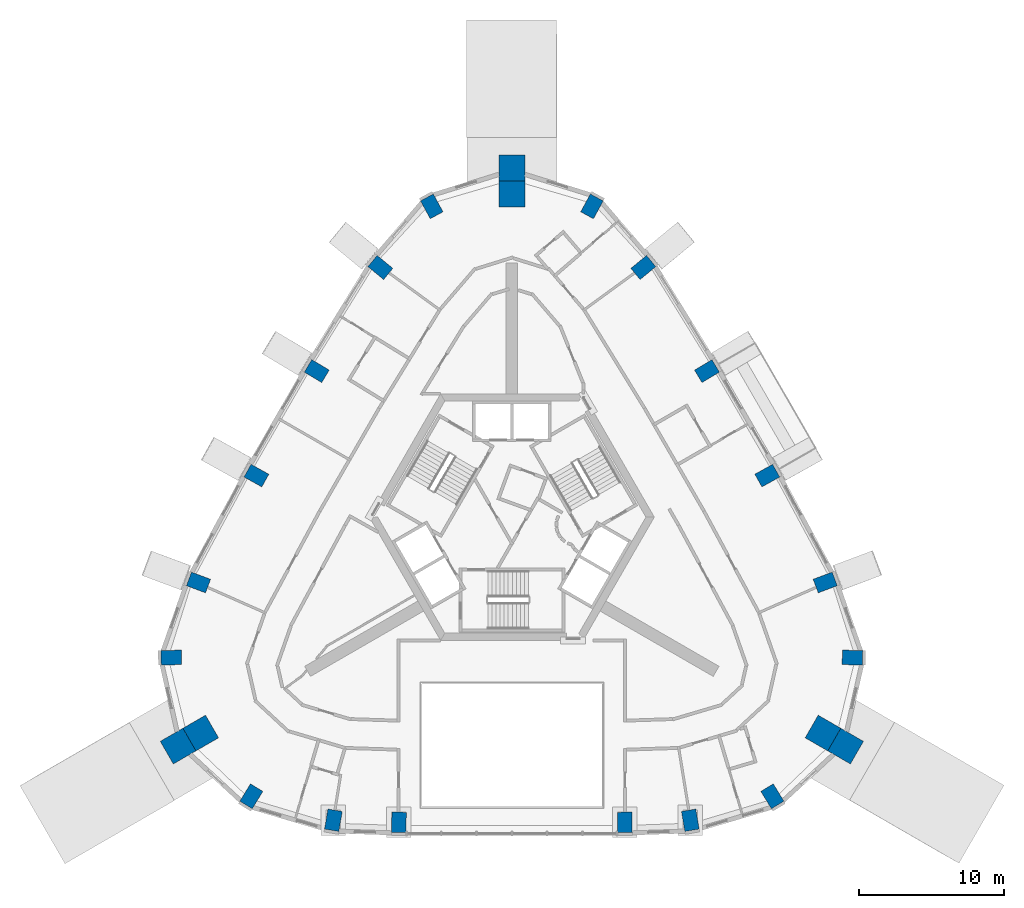
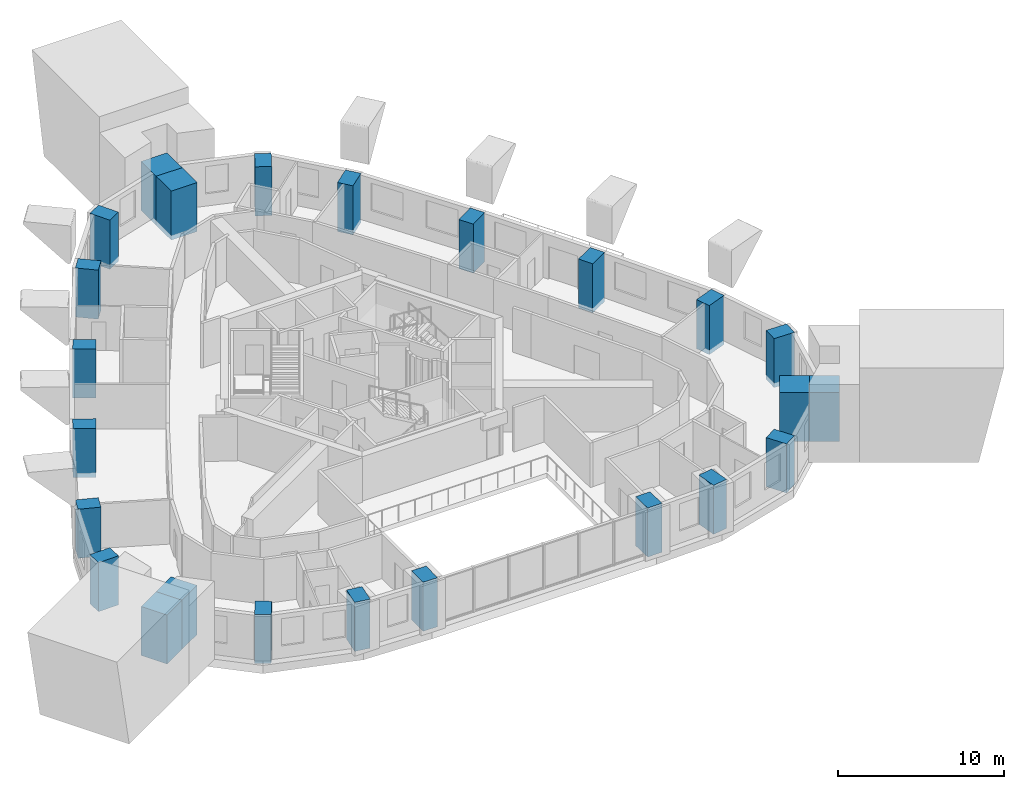
# One storey, part 1 of 11: 24 columns.
"""IFC4 building model written with IfcOpenShell, lengths in metres."""

from ifc_helpers import new_model, si_unit, direction, frame, origin, origin_2d, place, context, subcontext, project, spatial, rectangle, extrude, material, material_profile, profile_set, type_object, element, save


model = new_model("IFC4")

# Units and contexts
model_context = context("Model", 3, precision=1e-05, world=origin(), true_north=direction((0.0, 1.0)))
body_context = subcontext(model_context, "Body", "Model", "MODEL_VIEW")
ifc_project = project(units=[si_unit("LENGTHUNIT", "METRE"), si_unit("AREAUNIT", "SQUARE_METRE"), si_unit("VOLUMEUNIT", "CUBIC_METRE"), si_unit("PLANEANGLEUNIT", "RADIAN"), si_unit("MASSUNIT", "GRAM", prefix="KILO")], contexts=[model_context])

# Site, building, storey
site_placement = place(None, origin())
site = spatial("IfcSite", under=ifc_project, at=site_placement, CompositionType="ELEMENT")
building_placement = place(site_placement, origin())
building = spatial("IfcBuilding", under=site, at=building_placement, Name="Entoto Arch Interchange Tower", CompositionType="ELEMENT")
storey_placement = place(building_placement, frame((0.0, 0.0, 318.800048828125)))
storey = spatial("IfcBuildingStorey", under=building, at=storey_placement, Name="L75", CompositionType="ELEMENT", Elevation=318.800048828125)

# Columns
ifc_material_1 = material(Name="Concrete C40/50", Category="concrete")
ifc_material_profile_1 = material_profile(ifc_material_1, rectangle(XDim=1.0, YDim=1.39990234375, at=origin_2d()))
ifc_profile_set_1 = profile_set([ifc_material_profile_1], Name="Concrete C40/50")
column_type_1 = type_object("IfcColumnType", Name="Column RC 1000x1400 C40/50", PredefinedType="COLUMN", material=ifc_profile_set_1)
for number, where, z_axis, x_axis, name in (
    (1, (-12.297119140625, -18.385009765625, -0.340087890625), (0.0, 0.0, 1.0), (-0.985785690827, 0.168007653877, 0.0), "Column S01 L75"),
    (2, (-7.781982421875, -18.528076171875, -0.340087890625), (0.0, 0.0, 1.0), (-0.999805523312, 0.019720942027, 0.0), "Column S02 L75"),
    (3, (7.781982421875, -18.528076171875, -0.340087890625), (0.0, 0.0, 1.0), (0.999805523312, 0.019720942027, 0.0), "Column S03 L75"),
    (4, (12.297119140625, -18.385009765625, -0.340087890625), (0.0, 0.0, 1.0), (0.985785690827, 0.168007653877, 0.0), "Column S04 L75"),
    (5, (17.948974609375, -16.73388671875, -0.340087890625), (0.0, 0.0, 1.0), (0.853650808213, 0.520845752251, 0.0), "Column SE1 L75"),
    (6, (23.466064453125, -7.177001953125, -0.340087890625), (0.0, 0.0, 1.0), (0.024257696956, 0.999705738774, 0.0), "Column SE3 L75"),
    (7, (21.590087890625, -2.00390625, -0.340087890625), (0.0, 0.0, 1.0), (-0.3507141184, 0.93648257173, 0.0), "Column NE01 L75"),
    (8, (17.59912109375, 5.360107421875, -0.340087890625), (0.0, 0.0, 1.0), (-0.48592357098, 0.874001306158, 0.0), "Column NE02 L75"),
    (9, (13.44091796875, 12.56103515625, -0.340087890625), (0.0, 0.0, 1.0), (-0.513945548584, 0.857822809845, 0.0), "Column NE03 L75"),
    (10, (9.05908203125, 19.699951171875, -0.340087890625), (0.0, 0.0, 1.0), (-0.635647164629, 0.771979716119, 0.0), "Column NE04 L75"),
    (11, (5.51708984375, 23.910888671875, -0.340087890625), (0.0, 0.0, 1.0), (-0.877899414566, 0.478845087586, 0.0), "Column N1 L75"),
    (12, (-5.51708984375, 23.910888671875, -0.340087890625), (0.0, 0.0, 1.0), (0.877899414566, 0.478845087586, 0.0), "Column N3 L75"),
    (13, (-9.05908203125, 19.699951171875, -0.340087890625), (0.0, 0.0, 1.0), (0.635647164629, 0.771979716119, 0.0), "Column NW01 L75"),
    (14, (-13.44091796875, 12.56103515625, -0.340087890625), (0.0, 0.0, 1.0), (0.513945548584, 0.857822809845, 0.0), "Column NW02 L75"),
    (15, (-17.59912109375, 5.360107421875, -0.340087890625), (0.0, 0.0, 1.0), (0.48592357098, 0.874001306158, 0.0), "Column NW03 L75"),
    (16, (-21.590087890625, -2.00390625, -0.340087890625), (0.0, 0.0, 1.0), (0.3507141184, 0.93648257173, 0.0), "Column NW04 L75"),
    (17, (-23.466064453125, -7.177001953125, -0.340087890625), (0.0, 0.0, 1.0), (-0.024257696956, 0.999705738774, 0.0), "Column SW1 L75"),
    (18, (-17.948974609375, -16.73388671875, -0.340087890625), (0.0, 0.0, 1.0), (-0.853650808213, 0.520845752251, 0.0), "Column SW3 L75"),
):
    element("IfcColumn", number, at=place(storey_placement, frame(where, z_axis=z_axis, x_axis=x_axis)), inside=storey, type_object=column_type_1, Name=name, PredefinedType="COLUMN", context=body_context, shape_type="SweptSolid", body=[
        extrude(rectangle(XDim=1.0, YDim=1.39990234375, at=origin_2d()), origin(), (0.0, 0.0, 1.0), 3.60009765625),
    ])
ifc_material_2 = material(Name="Precast concrete C40/50", Category="concrete")
ifc_material_profile_2 = material_profile(ifc_material_2, rectangle(XDim=1.800048828125, YDim=1.800048828125, at=origin_2d()))
ifc_profile_set_2 = profile_set([ifc_material_profile_2], Name="Precast concrete C40/50")
column_type_2 = type_object("IfcColumnType", Name="Frame post RC 1800x1800 precast C40/50", PredefinedType="COLUMN", material=ifc_profile_set_2)
for number, where, z_axis, x_axis, name in (
    (19, (22.99609375, -13.277099609375, -0.340087890625), (0.0, 0.0, 1.0), (-0.866025403784, 0.5, 0.0), "Frame post SE L75"),
    (20, (0.0, 26.552978515625, -0.340087890625), (0.0, 0.0, 1.0), (0.0, 1.0, 0.0), "Frame post N L75"),
    (21, (-22.99609375, -13.277099609375, -0.340087890625), (0.0, 0.0, 1.0), (0.866025403784, 0.5, 0.0), "Frame post SW L75"),
):
    element("IfcColumn", number, at=place(storey_placement, frame(where, z_axis=z_axis, x_axis=x_axis)), inside=storey, type_object=column_type_2, Name=name, PredefinedType="COLUMN", context=body_context, shape_type="SweptSolid", body=[
        extrude(rectangle(XDim=1.800048828125, YDim=1.800048828125, at=origin_2d()), origin(), (0.0, 0.0, 1.0), 3.60009765625),
    ])
ifc_material_profile_3 = material_profile(ifc_material_1, rectangle(XDim=1.800048828125, YDim=1.800048828125, at=origin_2d()))
ifc_profile_set_3 = profile_set([ifc_material_profile_3], Name="Concrete C40/50")
column_type_3 = type_object("IfcColumnType", Name="Mega column RC 1800x1800 C40/50", PredefinedType="COLUMN", material=ifc_profile_set_3)
for number, where, z_axis, x_axis, name in (
    (22, (21.43701171875, -12.376953125, -0.340087890625), (0.0, 0.0, 1.0), (-0.866025403784, 0.5, 0.0), "Corner mega column SE2 L75"),
    (23, (0.0, 24.7529296875, -0.340087890625), (0.0, 0.0, 1.0), (0.0, 1.0, 0.0), "Corner mega column N2 L75"),
    (24, (-21.43701171875, -12.376953125, -0.340087890625), (0.0, 0.0, 1.0), (0.866025403784, 0.5, 0.0), "Corner mega column SW2 L75"),
):
    element("IfcColumn", number, at=place(storey_placement, frame(where, z_axis=z_axis, x_axis=x_axis)), inside=storey, type_object=column_type_3, Name=name, PredefinedType="COLUMN", context=body_context, shape_type="SweptSolid", body=[
        extrude(rectangle(XDim=1.800048828125, YDim=1.800048828125, at=origin_2d()), origin(), (0.0, 0.0, 1.0), 3.60009765625),
    ])

save(model, "model.ifc")
